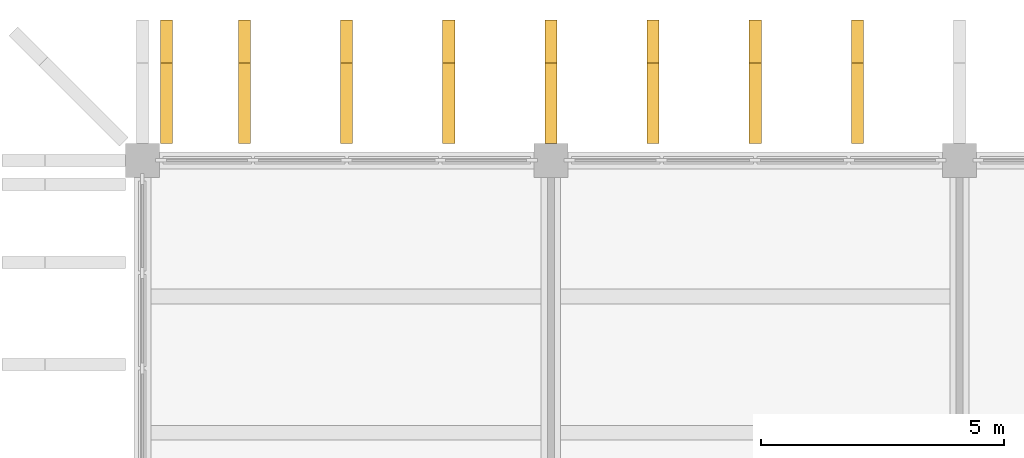
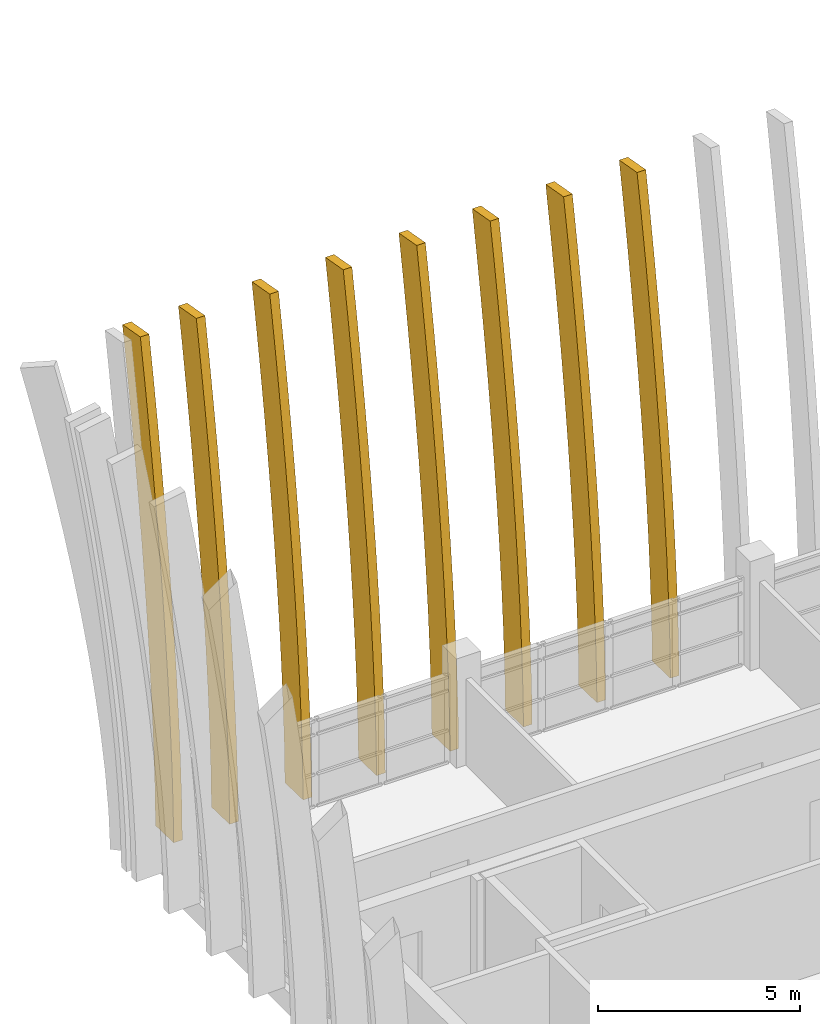
# One storey, part 16 of 19: 8 shading devices.
"""IFC4 building model written with IfcOpenShell, lengths in metres."""

from ifc_helpers import new_model, si_unit, direction, frame, origin, origin_2d, place, context, subcontext, project, spatial, rectangle, faceted_brep, material, material_profile, profile_set, type_object, element, save


model = new_model("IFC4")

# Units and contexts
model_context = context("Model", 3, precision=1e-05, world=origin(), true_north=direction((0.0, 1.0)))
body_context = subcontext(model_context, "Body", "Model", "MODEL_VIEW")
ifc_project = project(units=[si_unit("LENGTHUNIT", "METRE"), si_unit("AREAUNIT", "SQUARE_METRE"), si_unit("VOLUMEUNIT", "CUBIC_METRE"), si_unit("PLANEANGLEUNIT", "RADIAN"), si_unit("MASSUNIT", "GRAM", prefix="KILO")], contexts=[model_context])

# Site, building, storey
site_placement = place(None, origin())
site = spatial("IfcSite", under=ifc_project, at=site_placement, CompositionType="ELEMENT")
building_placement = place(site_placement, origin())
building = spatial("IfcBuilding", under=site, at=building_placement, Name="Rulbaag Community and Learning Centre", CompositionType="ELEMENT")
storey_placement = place(building_placement, frame((0.0, 0.0, 57.60009765625)))
storey = spatial("IfcBuildingStorey", under=building, at=storey_placement, Name="L15", CompositionType="ELEMENT", Elevation=57.60009765625)

# Shading devices
ifc_material = material(Name="Concrete M40", Category="concrete")
ifc_material_profile = material_profile(ifc_material, rectangle(XDim=0.25, YDim=0.89990234375, at=origin_2d()), Name="PC 250x900")
ifc_profile_set = profile_set([ifc_material_profile], Name="Concrete M40")
shading_device_type = type_object("IfcShadingDeviceType", Name="FIN-H", PredefinedType="JALOUSIE", material=ifc_profile_set)
shading_device_1_placement = place(storey_placement, frame((0.0, 0.0, -57.60009765625)))
element("IfcShadingDevice", 1, at=shading_device_1_placement, inside=storey, type_object=shading_device_type, Name="Precast crown fin", PredefinedType="JALOUSIE", context=body_context, shape_type="Brep", body=[
    faceted_brep([(143.175048828125, 118.849853515625, 57.587646484375), (143.425048828125, 118.849853515625, 57.587646484375), (143.425048828125, 117.949951171875, 57.611083984375), (143.175048828125, 117.949951171875, 57.611083984375), (143.175048828125, 119.599609375, 71.89794921875), (143.425048828125, 119.599609375, 71.89794921875), (143.425048828125, 120.4853515625, 71.73876953125), (143.175048828125, 120.4853515625, 71.73876953125), (143.425048828125, 117.98095703125, 58.790771484375), (143.175048828125, 117.98095703125, 58.790771484375), (143.425048828125, 118.88037109375, 58.755126953125), (143.175048828125, 118.88037109375, 58.755126953125), (143.425048828125, 118.043701171875, 59.983154296875), (143.175048828125, 118.043701171875, 59.983154296875), (143.425048828125, 118.942138671875, 59.927001953125), (143.175048828125, 118.942138671875, 59.927001953125), (143.425048828125, 118.129638671875, 61.1748046875), (143.175048828125, 118.129638671875, 61.1748046875), (143.425048828125, 119.026611328125, 61.10302734375), (143.175048828125, 119.026611328125, 61.10302734375), (143.425048828125, 118.234619140625, 62.36669921875), (143.175048828125, 118.234619140625, 62.36669921875), (143.425048828125, 119.130615234375, 62.28125), (143.175048828125, 119.130615234375, 62.28125), (143.425048828125, 118.356689453125, 63.558349609375), (143.175048828125, 118.356689453125, 63.558349609375), (143.425048828125, 119.251220703125, 63.460693359375), (143.175048828125, 119.251220703125, 63.460693359375), (143.425048828125, 118.494140625, 64.75), (143.175048828125, 118.494140625, 64.75), (143.425048828125, 119.3876953125, 64.64111328125), (143.175048828125, 119.3876953125, 64.64111328125), (143.425048828125, 118.646484375, 65.941650390625), (143.175048828125, 118.646484375, 65.941650390625), (143.425048828125, 119.53857421875, 65.822509765625), (143.175048828125, 119.53857421875, 65.822509765625), (143.425048828125, 118.8125, 67.13330078125), (143.175048828125, 118.8125, 67.13330078125), (143.425048828125, 119.703125, 67.00439453125), (143.175048828125, 119.703125, 67.00439453125), (143.425048828125, 118.991455078125, 68.324951171875), (143.175048828125, 118.991455078125, 68.324951171875), (143.425048828125, 119.880615234375, 68.186767578125), (143.175048828125, 119.880615234375, 68.186767578125), (143.425048828125, 119.1826171875, 69.5166015625), (143.175048828125, 119.1826171875, 69.5166015625), (143.425048828125, 120.0703125, 69.36962890625), (143.175048828125, 120.0703125, 69.36962890625), (143.425048828125, 119.385498046875, 70.708251953125), (143.175048828125, 119.385498046875, 70.708251953125), (143.425048828125, 120.272216796875, 70.552978515625), (143.175048828125, 120.272216796875, 70.552978515625)], [[[0, 1, 2, 3]], [[4, 5, 6, 7]], [[3, 2, 8, 9]], [[2, 1, 10, 8]], [[1, 0, 11, 10]], [[0, 3, 9, 11]], [[9, 8, 12, 13]], [[8, 10, 14, 12]], [[10, 11, 15, 14]], [[11, 9, 13, 15]], [[13, 12, 16, 17]], [[12, 14, 18, 16]], [[14, 15, 19, 18]], [[15, 13, 17, 19]], [[17, 16, 20, 21]], [[16, 18, 22, 20]], [[18, 19, 23, 22]], [[19, 17, 21, 23]], [[21, 20, 24, 25]], [[20, 22, 26, 24]], [[22, 23, 27, 26]], [[23, 21, 25, 27]], [[25, 24, 28, 29]], [[24, 26, 30, 28]], [[26, 27, 31, 30]], [[27, 25, 29, 31]], [[29, 28, 32, 33]], [[28, 30, 34, 32]], [[30, 31, 35, 34]], [[31, 29, 33, 35]], [[33, 32, 36, 37]], [[32, 34, 38, 36]], [[34, 35, 39, 38]], [[35, 33, 37, 39]], [[37, 36, 40, 41]], [[36, 38, 42, 40]], [[38, 39, 43, 42]], [[39, 37, 41, 43]], [[41, 40, 44, 45]], [[40, 42, 46, 44]], [[42, 43, 47, 46]], [[43, 41, 45, 47]], [[45, 44, 48, 49]], [[44, 46, 50, 48]], [[46, 47, 51, 50]], [[47, 45, 49, 51]], [[49, 48, 5, 4]], [[48, 50, 6, 5]], [[50, 51, 7, 6]], [[51, 49, 4, 7]]]),
])
shading_device_2_placement = place(storey_placement, frame((0.0, 0.0, -57.60009765625)))
element("IfcShadingDevice", 2, at=shading_device_2_placement, inside=storey, type_object=shading_device_type, Name="Precast crown fin", PredefinedType="JALOUSIE", context=body_context, shape_type="Brep", body=[
    faceted_brep([(144.77490234375, 118.849853515625, 57.587646484375), (145.02490234375, 118.849853515625, 57.587646484375), (145.02490234375, 117.949951171875, 57.611083984375), (144.77490234375, 117.949951171875, 57.611083984375), (144.77490234375, 119.599609375, 71.89794921875), (145.02490234375, 119.599609375, 71.89794921875), (145.02490234375, 120.4853515625, 71.73876953125), (144.77490234375, 120.4853515625, 71.73876953125), (145.02490234375, 117.98095703125, 58.790771484375), (144.77490234375, 117.98095703125, 58.790771484375), (145.02490234375, 118.88037109375, 58.755126953125), (144.77490234375, 118.88037109375, 58.755126953125), (145.02490234375, 118.043701171875, 59.983154296875), (144.77490234375, 118.043701171875, 59.983154296875), (145.02490234375, 118.942138671875, 59.927001953125), (144.77490234375, 118.942138671875, 59.927001953125), (145.02490234375, 118.129638671875, 61.1748046875), (144.77490234375, 118.129638671875, 61.1748046875), (145.02490234375, 119.026611328125, 61.10302734375), (144.77490234375, 119.026611328125, 61.10302734375), (145.02490234375, 118.234619140625, 62.36669921875), (144.77490234375, 118.234619140625, 62.36669921875), (145.02490234375, 119.130615234375, 62.28125), (144.77490234375, 119.130615234375, 62.28125), (145.02490234375, 118.356689453125, 63.558349609375), (144.77490234375, 118.356689453125, 63.558349609375), (145.02490234375, 119.251220703125, 63.460693359375), (144.77490234375, 119.251220703125, 63.460693359375), (145.02490234375, 118.494140625, 64.75), (144.77490234375, 118.494140625, 64.75), (145.02490234375, 119.3876953125, 64.64111328125), (144.77490234375, 119.3876953125, 64.64111328125), (145.02490234375, 118.646484375, 65.941650390625), (144.77490234375, 118.646484375, 65.941650390625), (145.02490234375, 119.53857421875, 65.822509765625), (144.77490234375, 119.53857421875, 65.822509765625), (145.02490234375, 118.8125, 67.13330078125), (144.77490234375, 118.8125, 67.13330078125), (145.02490234375, 119.703125, 67.00439453125), (144.77490234375, 119.703125, 67.00439453125), (145.02490234375, 118.991455078125, 68.324951171875), (144.77490234375, 118.991455078125, 68.324951171875), (145.02490234375, 119.880615234375, 68.186767578125), (144.77490234375, 119.880615234375, 68.186767578125), (145.02490234375, 119.1826171875, 69.5166015625), (144.77490234375, 119.1826171875, 69.5166015625), (145.02490234375, 120.0703125, 69.36962890625), (144.77490234375, 120.0703125, 69.36962890625), (145.02490234375, 119.385498046875, 70.708251953125), (144.77490234375, 119.385498046875, 70.708251953125), (145.02490234375, 120.272216796875, 70.552978515625), (144.77490234375, 120.272216796875, 70.552978515625)], [[[0, 1, 2, 3]], [[4, 5, 6, 7]], [[3, 2, 8, 9]], [[2, 1, 10, 8]], [[1, 0, 11, 10]], [[0, 3, 9, 11]], [[9, 8, 12, 13]], [[8, 10, 14, 12]], [[10, 11, 15, 14]], [[11, 9, 13, 15]], [[13, 12, 16, 17]], [[12, 14, 18, 16]], [[14, 15, 19, 18]], [[15, 13, 17, 19]], [[17, 16, 20, 21]], [[16, 18, 22, 20]], [[18, 19, 23, 22]], [[19, 17, 21, 23]], [[21, 20, 24, 25]], [[20, 22, 26, 24]], [[22, 23, 27, 26]], [[23, 21, 25, 27]], [[25, 24, 28, 29]], [[24, 26, 30, 28]], [[26, 27, 31, 30]], [[27, 25, 29, 31]], [[29, 28, 32, 33]], [[28, 30, 34, 32]], [[30, 31, 35, 34]], [[31, 29, 33, 35]], [[33, 32, 36, 37]], [[32, 34, 38, 36]], [[34, 35, 39, 38]], [[35, 33, 37, 39]], [[37, 36, 40, 41]], [[36, 38, 42, 40]], [[38, 39, 43, 42]], [[39, 37, 41, 43]], [[41, 40, 44, 45]], [[40, 42, 46, 44]], [[42, 43, 47, 46]], [[43, 41, 45, 47]], [[45, 44, 48, 49]], [[44, 46, 50, 48]], [[46, 47, 51, 50]], [[47, 45, 49, 51]], [[49, 48, 5, 4]], [[48, 50, 6, 5]], [[50, 51, 7, 6]], [[51, 49, 4, 7]]]),
])
shading_device_3_placement = place(storey_placement, frame((0.0, 0.0, -57.60009765625)))
element("IfcShadingDevice", 3, at=shading_device_3_placement, inside=storey, type_object=shading_device_type, Name="Precast crown fin", PredefinedType="JALOUSIE", context=body_context, shape_type="Brep", body=[
    faceted_brep([(146.875, 118.849853515625, 57.587646484375), (147.125, 118.849853515625, 57.587646484375), (147.125, 117.949951171875, 57.611083984375), (146.875, 117.949951171875, 57.611083984375), (146.875, 119.599609375, 71.89794921875), (147.125, 119.599609375, 71.89794921875), (147.125, 120.4853515625, 71.73876953125), (146.875, 120.4853515625, 71.73876953125), (147.125, 117.98095703125, 58.790771484375), (146.875, 117.98095703125, 58.790771484375), (147.125, 118.88037109375, 58.755126953125), (146.875, 118.88037109375, 58.755126953125), (147.125, 118.043701171875, 59.983154296875), (146.875, 118.043701171875, 59.983154296875), (147.125, 118.942138671875, 59.927001953125), (146.875, 118.942138671875, 59.927001953125), (147.125, 118.129638671875, 61.1748046875), (146.875, 118.129638671875, 61.1748046875), (147.125, 119.026611328125, 61.10302734375), (146.875, 119.026611328125, 61.10302734375), (147.125, 118.234619140625, 62.36669921875), (146.875, 118.234619140625, 62.36669921875), (147.125, 119.130615234375, 62.28125), (146.875, 119.130615234375, 62.28125), (147.125, 118.356689453125, 63.558349609375), (146.875, 118.356689453125, 63.558349609375), (147.125, 119.251220703125, 63.460693359375), (146.875, 119.251220703125, 63.460693359375), (147.125, 118.494140625, 64.75), (146.875, 118.494140625, 64.75), (147.125, 119.3876953125, 64.64111328125), (146.875, 119.3876953125, 64.64111328125), (147.125, 118.646484375, 65.941650390625), (146.875, 118.646484375, 65.941650390625), (147.125, 119.53857421875, 65.822509765625), (146.875, 119.53857421875, 65.822509765625), (147.125, 118.8125, 67.13330078125), (146.875, 118.8125, 67.13330078125), (147.125, 119.703125, 67.00439453125), (146.875, 119.703125, 67.00439453125), (147.125, 118.991455078125, 68.324951171875), (146.875, 118.991455078125, 68.324951171875), (147.125, 119.880615234375, 68.186767578125), (146.875, 119.880615234375, 68.186767578125), (147.125, 119.1826171875, 69.5166015625), (146.875, 119.1826171875, 69.5166015625), (147.125, 120.0703125, 69.36962890625), (146.875, 120.0703125, 69.36962890625), (147.125, 119.385498046875, 70.708251953125), (146.875, 119.385498046875, 70.708251953125), (147.125, 120.272216796875, 70.552978515625), (146.875, 120.272216796875, 70.552978515625)], [[[0, 1, 2, 3]], [[4, 5, 6, 7]], [[3, 2, 8, 9]], [[2, 1, 10, 8]], [[1, 0, 11, 10]], [[0, 3, 9, 11]], [[9, 8, 12, 13]], [[8, 10, 14, 12]], [[10, 11, 15, 14]], [[11, 9, 13, 15]], [[13, 12, 16, 17]], [[12, 14, 18, 16]], [[14, 15, 19, 18]], [[15, 13, 17, 19]], [[17, 16, 20, 21]], [[16, 18, 22, 20]], [[18, 19, 23, 22]], [[19, 17, 21, 23]], [[21, 20, 24, 25]], [[20, 22, 26, 24]], [[22, 23, 27, 26]], [[23, 21, 25, 27]], [[25, 24, 28, 29]], [[24, 26, 30, 28]], [[26, 27, 31, 30]], [[27, 25, 29, 31]], [[29, 28, 32, 33]], [[28, 30, 34, 32]], [[30, 31, 35, 34]], [[31, 29, 33, 35]], [[33, 32, 36, 37]], [[32, 34, 38, 36]], [[34, 35, 39, 38]], [[35, 33, 37, 39]], [[37, 36, 40, 41]], [[36, 38, 42, 40]], [[38, 39, 43, 42]], [[39, 37, 41, 43]], [[41, 40, 44, 45]], [[40, 42, 46, 44]], [[42, 43, 47, 46]], [[43, 41, 45, 47]], [[45, 44, 48, 49]], [[44, 46, 50, 48]], [[46, 47, 51, 50]], [[47, 45, 49, 51]], [[49, 48, 5, 4]], [[48, 50, 6, 5]], [[50, 51, 7, 6]], [[51, 49, 4, 7]]]),
])
shading_device_4_placement = place(storey_placement, frame((0.0, 0.0, -57.60009765625)))
element("IfcShadingDevice", 4, at=shading_device_4_placement, inside=storey, type_object=shading_device_type, Name="Precast crown fin", PredefinedType="JALOUSIE", context=body_context, shape_type="Brep", body=[
    faceted_brep([(148.97509765625, 118.849853515625, 57.587646484375), (149.22509765625, 118.849853515625, 57.587646484375), (149.22509765625, 117.949951171875, 57.611083984375), (148.97509765625, 117.949951171875, 57.611083984375), (148.97509765625, 119.599609375, 71.89794921875), (149.22509765625, 119.599609375, 71.89794921875), (149.22509765625, 120.4853515625, 71.73876953125), (148.97509765625, 120.4853515625, 71.73876953125), (149.22509765625, 117.98095703125, 58.790771484375), (148.97509765625, 117.98095703125, 58.790771484375), (149.22509765625, 118.88037109375, 58.755126953125), (148.97509765625, 118.88037109375, 58.755126953125), (149.22509765625, 118.043701171875, 59.983154296875), (148.97509765625, 118.043701171875, 59.983154296875), (149.22509765625, 118.942138671875, 59.927001953125), (148.97509765625, 118.942138671875, 59.927001953125), (149.22509765625, 118.129638671875, 61.1748046875), (148.97509765625, 118.129638671875, 61.1748046875), (149.22509765625, 119.026611328125, 61.10302734375), (148.97509765625, 119.026611328125, 61.10302734375), (149.22509765625, 118.234619140625, 62.36669921875), (148.97509765625, 118.234619140625, 62.36669921875), (149.22509765625, 119.130615234375, 62.28125), (148.97509765625, 119.130615234375, 62.28125), (149.22509765625, 118.356689453125, 63.558349609375), (148.97509765625, 118.356689453125, 63.558349609375), (149.22509765625, 119.251220703125, 63.460693359375), (148.97509765625, 119.251220703125, 63.460693359375), (149.22509765625, 118.494140625, 64.75), (148.97509765625, 118.494140625, 64.75), (149.22509765625, 119.3876953125, 64.64111328125), (148.97509765625, 119.3876953125, 64.64111328125), (149.22509765625, 118.646484375, 65.941650390625), (148.97509765625, 118.646484375, 65.941650390625), (149.22509765625, 119.53857421875, 65.822509765625), (148.97509765625, 119.53857421875, 65.822509765625), (149.22509765625, 118.8125, 67.13330078125), (148.97509765625, 118.8125, 67.13330078125), (149.22509765625, 119.703125, 67.00439453125), (148.97509765625, 119.703125, 67.00439453125), (149.22509765625, 118.991455078125, 68.324951171875), (148.97509765625, 118.991455078125, 68.324951171875), (149.22509765625, 119.880615234375, 68.186767578125), (148.97509765625, 119.880615234375, 68.186767578125), (149.22509765625, 119.1826171875, 69.5166015625), (148.97509765625, 119.1826171875, 69.5166015625), (149.22509765625, 120.0703125, 69.36962890625), (148.97509765625, 120.0703125, 69.36962890625), (149.22509765625, 119.385498046875, 70.708251953125), (148.97509765625, 119.385498046875, 70.708251953125), (149.22509765625, 120.272216796875, 70.552978515625), (148.97509765625, 120.272216796875, 70.552978515625)], [[[0, 1, 2, 3]], [[4, 5, 6, 7]], [[3, 2, 8, 9]], [[2, 1, 10, 8]], [[1, 0, 11, 10]], [[0, 3, 9, 11]], [[9, 8, 12, 13]], [[8, 10, 14, 12]], [[10, 11, 15, 14]], [[11, 9, 13, 15]], [[13, 12, 16, 17]], [[12, 14, 18, 16]], [[14, 15, 19, 18]], [[15, 13, 17, 19]], [[17, 16, 20, 21]], [[16, 18, 22, 20]], [[18, 19, 23, 22]], [[19, 17, 21, 23]], [[21, 20, 24, 25]], [[20, 22, 26, 24]], [[22, 23, 27, 26]], [[23, 21, 25, 27]], [[25, 24, 28, 29]], [[24, 26, 30, 28]], [[26, 27, 31, 30]], [[27, 25, 29, 31]], [[29, 28, 32, 33]], [[28, 30, 34, 32]], [[30, 31, 35, 34]], [[31, 29, 33, 35]], [[33, 32, 36, 37]], [[32, 34, 38, 36]], [[34, 35, 39, 38]], [[35, 33, 37, 39]], [[37, 36, 40, 41]], [[36, 38, 42, 40]], [[38, 39, 43, 42]], [[39, 37, 41, 43]], [[41, 40, 44, 45]], [[40, 42, 46, 44]], [[42, 43, 47, 46]], [[43, 41, 45, 47]], [[45, 44, 48, 49]], [[44, 46, 50, 48]], [[46, 47, 51, 50]], [[47, 45, 49, 51]], [[49, 48, 5, 4]], [[48, 50, 6, 5]], [[50, 51, 7, 6]], [[51, 49, 4, 7]]]),
])
shading_device_5_placement = place(storey_placement, frame((0.0, 0.0, -57.60009765625)))
element("IfcShadingDevice", 5, at=shading_device_5_placement, inside=storey, type_object=shading_device_type, Name="Precast crown fin", PredefinedType="JALOUSIE", context=body_context, shape_type="Brep", body=[
    faceted_brep([(151.074951171875, 118.849853515625, 57.587646484375), (151.324951171875, 118.849853515625, 57.587646484375), (151.324951171875, 117.949951171875, 57.611083984375), (151.074951171875, 117.949951171875, 57.611083984375), (151.074951171875, 119.599609375, 71.89794921875), (151.324951171875, 119.599609375, 71.89794921875), (151.324951171875, 120.4853515625, 71.73876953125), (151.074951171875, 120.4853515625, 71.73876953125), (151.324951171875, 117.98095703125, 58.790771484375), (151.074951171875, 117.98095703125, 58.790771484375), (151.324951171875, 118.88037109375, 58.755126953125), (151.074951171875, 118.88037109375, 58.755126953125), (151.324951171875, 118.043701171875, 59.983154296875), (151.074951171875, 118.043701171875, 59.983154296875), (151.324951171875, 118.942138671875, 59.927001953125), (151.074951171875, 118.942138671875, 59.927001953125), (151.324951171875, 118.129638671875, 61.1748046875), (151.074951171875, 118.129638671875, 61.1748046875), (151.324951171875, 119.026611328125, 61.10302734375), (151.074951171875, 119.026611328125, 61.10302734375), (151.324951171875, 118.234619140625, 62.36669921875), (151.074951171875, 118.234619140625, 62.36669921875), (151.324951171875, 119.130615234375, 62.28125), (151.074951171875, 119.130615234375, 62.28125), (151.324951171875, 118.356689453125, 63.558349609375), (151.074951171875, 118.356689453125, 63.558349609375), (151.324951171875, 119.251220703125, 63.460693359375), (151.074951171875, 119.251220703125, 63.460693359375), (151.324951171875, 118.494140625, 64.75), (151.074951171875, 118.494140625, 64.75), (151.324951171875, 119.3876953125, 64.64111328125), (151.074951171875, 119.3876953125, 64.64111328125), (151.324951171875, 118.646484375, 65.941650390625), (151.074951171875, 118.646484375, 65.941650390625), (151.324951171875, 119.53857421875, 65.822509765625), (151.074951171875, 119.53857421875, 65.822509765625), (151.324951171875, 118.8125, 67.13330078125), (151.074951171875, 118.8125, 67.13330078125), (151.324951171875, 119.703125, 67.00439453125), (151.074951171875, 119.703125, 67.00439453125), (151.324951171875, 118.991455078125, 68.324951171875), (151.074951171875, 118.991455078125, 68.324951171875), (151.324951171875, 119.880615234375, 68.186767578125), (151.074951171875, 119.880615234375, 68.186767578125), (151.324951171875, 119.1826171875, 69.5166015625), (151.074951171875, 119.1826171875, 69.5166015625), (151.324951171875, 120.0703125, 69.36962890625), (151.074951171875, 120.0703125, 69.36962890625), (151.324951171875, 119.385498046875, 70.708251953125), (151.074951171875, 119.385498046875, 70.708251953125), (151.324951171875, 120.272216796875, 70.552978515625), (151.074951171875, 120.272216796875, 70.552978515625)], [[[0, 1, 2, 3]], [[4, 5, 6, 7]], [[3, 2, 8, 9]], [[2, 1, 10, 8]], [[1, 0, 11, 10]], [[0, 3, 9, 11]], [[9, 8, 12, 13]], [[8, 10, 14, 12]], [[10, 11, 15, 14]], [[11, 9, 13, 15]], [[13, 12, 16, 17]], [[12, 14, 18, 16]], [[14, 15, 19, 18]], [[15, 13, 17, 19]], [[17, 16, 20, 21]], [[16, 18, 22, 20]], [[18, 19, 23, 22]], [[19, 17, 21, 23]], [[21, 20, 24, 25]], [[20, 22, 26, 24]], [[22, 23, 27, 26]], [[23, 21, 25, 27]], [[25, 24, 28, 29]], [[24, 26, 30, 28]], [[26, 27, 31, 30]], [[27, 25, 29, 31]], [[29, 28, 32, 33]], [[28, 30, 34, 32]], [[30, 31, 35, 34]], [[31, 29, 33, 35]], [[33, 32, 36, 37]], [[32, 34, 38, 36]], [[34, 35, 39, 38]], [[35, 33, 37, 39]], [[37, 36, 40, 41]], [[36, 38, 42, 40]], [[38, 39, 43, 42]], [[39, 37, 41, 43]], [[41, 40, 44, 45]], [[40, 42, 46, 44]], [[42, 43, 47, 46]], [[43, 41, 45, 47]], [[45, 44, 48, 49]], [[44, 46, 50, 48]], [[46, 47, 51, 50]], [[47, 45, 49, 51]], [[49, 48, 5, 4]], [[48, 50, 6, 5]], [[50, 51, 7, 6]], [[51, 49, 4, 7]]]),
])
shading_device_6_placement = place(storey_placement, frame((0.0, 0.0, -57.60009765625)))
element("IfcShadingDevice", 6, at=shading_device_6_placement, inside=storey, type_object=shading_device_type, Name="Precast crown fin", PredefinedType="JALOUSIE", context=body_context, shape_type="Brep", body=[
    faceted_brep([(153.175048828125, 118.849853515625, 57.587646484375), (153.425048828125, 118.849853515625, 57.587646484375), (153.425048828125, 117.949951171875, 57.611083984375), (153.175048828125, 117.949951171875, 57.611083984375), (153.175048828125, 119.599609375, 71.89794921875), (153.425048828125, 119.599609375, 71.89794921875), (153.425048828125, 120.4853515625, 71.73876953125), (153.175048828125, 120.4853515625, 71.73876953125), (153.425048828125, 117.98095703125, 58.790771484375), (153.175048828125, 117.98095703125, 58.790771484375), (153.425048828125, 118.88037109375, 58.755126953125), (153.175048828125, 118.88037109375, 58.755126953125), (153.425048828125, 118.043701171875, 59.983154296875), (153.175048828125, 118.043701171875, 59.983154296875), (153.425048828125, 118.942138671875, 59.927001953125), (153.175048828125, 118.942138671875, 59.927001953125), (153.425048828125, 118.129638671875, 61.1748046875), (153.175048828125, 118.129638671875, 61.1748046875), (153.425048828125, 119.026611328125, 61.10302734375), (153.175048828125, 119.026611328125, 61.10302734375), (153.425048828125, 118.234619140625, 62.36669921875), (153.175048828125, 118.234619140625, 62.36669921875), (153.425048828125, 119.130615234375, 62.28125), (153.175048828125, 119.130615234375, 62.28125), (153.425048828125, 118.356689453125, 63.558349609375), (153.175048828125, 118.356689453125, 63.558349609375), (153.425048828125, 119.251220703125, 63.460693359375), (153.175048828125, 119.251220703125, 63.460693359375), (153.425048828125, 118.494140625, 64.75), (153.175048828125, 118.494140625, 64.75), (153.425048828125, 119.3876953125, 64.64111328125), (153.175048828125, 119.3876953125, 64.64111328125), (153.425048828125, 118.646484375, 65.941650390625), (153.175048828125, 118.646484375, 65.941650390625), (153.425048828125, 119.53857421875, 65.822509765625), (153.175048828125, 119.53857421875, 65.822509765625), (153.425048828125, 118.8125, 67.13330078125), (153.175048828125, 118.8125, 67.13330078125), (153.425048828125, 119.703125, 67.00439453125), (153.175048828125, 119.703125, 67.00439453125), (153.425048828125, 118.991455078125, 68.324951171875), (153.175048828125, 118.991455078125, 68.324951171875), (153.425048828125, 119.880615234375, 68.186767578125), (153.175048828125, 119.880615234375, 68.186767578125), (153.425048828125, 119.1826171875, 69.5166015625), (153.175048828125, 119.1826171875, 69.5166015625), (153.425048828125, 120.0703125, 69.36962890625), (153.175048828125, 120.0703125, 69.36962890625), (153.425048828125, 119.385498046875, 70.708251953125), (153.175048828125, 119.385498046875, 70.708251953125), (153.425048828125, 120.272216796875, 70.552978515625), (153.175048828125, 120.272216796875, 70.552978515625)], [[[0, 1, 2, 3]], [[4, 5, 6, 7]], [[3, 2, 8, 9]], [[2, 1, 10, 8]], [[1, 0, 11, 10]], [[0, 3, 9, 11]], [[9, 8, 12, 13]], [[8, 10, 14, 12]], [[10, 11, 15, 14]], [[11, 9, 13, 15]], [[13, 12, 16, 17]], [[12, 14, 18, 16]], [[14, 15, 19, 18]], [[15, 13, 17, 19]], [[17, 16, 20, 21]], [[16, 18, 22, 20]], [[18, 19, 23, 22]], [[19, 17, 21, 23]], [[21, 20, 24, 25]], [[20, 22, 26, 24]], [[22, 23, 27, 26]], [[23, 21, 25, 27]], [[25, 24, 28, 29]], [[24, 26, 30, 28]], [[26, 27, 31, 30]], [[27, 25, 29, 31]], [[29, 28, 32, 33]], [[28, 30, 34, 32]], [[30, 31, 35, 34]], [[31, 29, 33, 35]], [[33, 32, 36, 37]], [[32, 34, 38, 36]], [[34, 35, 39, 38]], [[35, 33, 37, 39]], [[37, 36, 40, 41]], [[36, 38, 42, 40]], [[38, 39, 43, 42]], [[39, 37, 41, 43]], [[41, 40, 44, 45]], [[40, 42, 46, 44]], [[42, 43, 47, 46]], [[43, 41, 45, 47]], [[45, 44, 48, 49]], [[44, 46, 50, 48]], [[46, 47, 51, 50]], [[47, 45, 49, 51]], [[49, 48, 5, 4]], [[48, 50, 6, 5]], [[50, 51, 7, 6]], [[51, 49, 4, 7]]]),
])
shading_device_7_placement = place(storey_placement, frame((0.0, 0.0, -57.60009765625)))
element("IfcShadingDevice", 7, at=shading_device_7_placement, inside=storey, type_object=shading_device_type, Name="Precast crown fin", PredefinedType="JALOUSIE", context=body_context, shape_type="Brep", body=[
    faceted_brep([(155.27490234375, 118.849853515625, 57.587646484375), (155.52490234375, 118.849853515625, 57.587646484375), (155.52490234375, 117.949951171875, 57.611083984375), (155.27490234375, 117.949951171875, 57.611083984375), (155.27490234375, 119.599609375, 71.89794921875), (155.52490234375, 119.599609375, 71.89794921875), (155.52490234375, 120.4853515625, 71.73876953125), (155.27490234375, 120.4853515625, 71.73876953125), (155.52490234375, 117.98095703125, 58.790771484375), (155.27490234375, 117.98095703125, 58.790771484375), (155.52490234375, 118.88037109375, 58.755126953125), (155.27490234375, 118.88037109375, 58.755126953125), (155.52490234375, 118.043701171875, 59.983154296875), (155.27490234375, 118.043701171875, 59.983154296875), (155.52490234375, 118.942138671875, 59.927001953125), (155.27490234375, 118.942138671875, 59.927001953125), (155.52490234375, 118.129638671875, 61.1748046875), (155.27490234375, 118.129638671875, 61.1748046875), (155.52490234375, 119.026611328125, 61.10302734375), (155.27490234375, 119.026611328125, 61.10302734375), (155.52490234375, 118.234619140625, 62.36669921875), (155.27490234375, 118.234619140625, 62.36669921875), (155.52490234375, 119.130615234375, 62.28125), (155.27490234375, 119.130615234375, 62.28125), (155.52490234375, 118.356689453125, 63.558349609375), (155.27490234375, 118.356689453125, 63.558349609375), (155.52490234375, 119.251220703125, 63.460693359375), (155.27490234375, 119.251220703125, 63.460693359375), (155.52490234375, 118.494140625, 64.75), (155.27490234375, 118.494140625, 64.75), (155.52490234375, 119.3876953125, 64.64111328125), (155.27490234375, 119.3876953125, 64.64111328125), (155.52490234375, 118.646484375, 65.941650390625), (155.27490234375, 118.646484375, 65.941650390625), (155.52490234375, 119.53857421875, 65.822509765625), (155.27490234375, 119.53857421875, 65.822509765625), (155.52490234375, 118.8125, 67.13330078125), (155.27490234375, 118.8125, 67.13330078125), (155.52490234375, 119.703125, 67.00439453125), (155.27490234375, 119.703125, 67.00439453125), (155.52490234375, 118.991455078125, 68.324951171875), (155.27490234375, 118.991455078125, 68.324951171875), (155.52490234375, 119.880615234375, 68.186767578125), (155.27490234375, 119.880615234375, 68.186767578125), (155.52490234375, 119.1826171875, 69.5166015625), (155.27490234375, 119.1826171875, 69.5166015625), (155.52490234375, 120.0703125, 69.36962890625), (155.27490234375, 120.0703125, 69.36962890625), (155.52490234375, 119.385498046875, 70.708251953125), (155.27490234375, 119.385498046875, 70.708251953125), (155.52490234375, 120.272216796875, 70.552978515625), (155.27490234375, 120.272216796875, 70.552978515625)], [[[0, 1, 2, 3]], [[4, 5, 6, 7]], [[3, 2, 8, 9]], [[2, 1, 10, 8]], [[1, 0, 11, 10]], [[0, 3, 9, 11]], [[9, 8, 12, 13]], [[8, 10, 14, 12]], [[10, 11, 15, 14]], [[11, 9, 13, 15]], [[13, 12, 16, 17]], [[12, 14, 18, 16]], [[14, 15, 19, 18]], [[15, 13, 17, 19]], [[17, 16, 20, 21]], [[16, 18, 22, 20]], [[18, 19, 23, 22]], [[19, 17, 21, 23]], [[21, 20, 24, 25]], [[20, 22, 26, 24]], [[22, 23, 27, 26]], [[23, 21, 25, 27]], [[25, 24, 28, 29]], [[24, 26, 30, 28]], [[26, 27, 31, 30]], [[27, 25, 29, 31]], [[29, 28, 32, 33]], [[28, 30, 34, 32]], [[30, 31, 35, 34]], [[31, 29, 33, 35]], [[33, 32, 36, 37]], [[32, 34, 38, 36]], [[34, 35, 39, 38]], [[35, 33, 37, 39]], [[37, 36, 40, 41]], [[36, 38, 42, 40]], [[38, 39, 43, 42]], [[39, 37, 41, 43]], [[41, 40, 44, 45]], [[40, 42, 46, 44]], [[42, 43, 47, 46]], [[43, 41, 45, 47]], [[45, 44, 48, 49]], [[44, 46, 50, 48]], [[46, 47, 51, 50]], [[47, 45, 49, 51]], [[49, 48, 5, 4]], [[48, 50, 6, 5]], [[50, 51, 7, 6]], [[51, 49, 4, 7]]]),
])
shading_device_8_placement = place(storey_placement, frame((0.0, 0.0, -57.60009765625)))
element("IfcShadingDevice", 8, at=shading_device_8_placement, inside=storey, type_object=shading_device_type, Name="Precast crown fin", PredefinedType="JALOUSIE", context=body_context, shape_type="Brep", body=[
    faceted_brep([(157.375, 118.849853515625, 57.587646484375), (157.625, 118.849853515625, 57.587646484375), (157.625, 117.949951171875, 57.611083984375), (157.375, 117.949951171875, 57.611083984375), (157.375, 119.599609375, 71.89794921875), (157.625, 119.599609375, 71.89794921875), (157.625, 120.4853515625, 71.73876953125), (157.375, 120.4853515625, 71.73876953125), (157.625, 117.98095703125, 58.790771484375), (157.375, 117.98095703125, 58.790771484375), (157.625, 118.88037109375, 58.755126953125), (157.375, 118.88037109375, 58.755126953125), (157.625, 118.043701171875, 59.983154296875), (157.375, 118.043701171875, 59.983154296875), (157.625, 118.942138671875, 59.927001953125), (157.375, 118.942138671875, 59.927001953125), (157.625, 118.129638671875, 61.1748046875), (157.375, 118.129638671875, 61.1748046875), (157.625, 119.026611328125, 61.10302734375), (157.375, 119.026611328125, 61.10302734375), (157.625, 118.234619140625, 62.36669921875), (157.375, 118.234619140625, 62.36669921875), (157.625, 119.130615234375, 62.28125), (157.375, 119.130615234375, 62.28125), (157.625, 118.356689453125, 63.558349609375), (157.375, 118.356689453125, 63.558349609375), (157.625, 119.251220703125, 63.460693359375), (157.375, 119.251220703125, 63.460693359375), (157.625, 118.494140625, 64.75), (157.375, 118.494140625, 64.75), (157.625, 119.3876953125, 64.64111328125), (157.375, 119.3876953125, 64.64111328125), (157.625, 118.646484375, 65.941650390625), (157.375, 118.646484375, 65.941650390625), (157.625, 119.53857421875, 65.822509765625), (157.375, 119.53857421875, 65.822509765625), (157.625, 118.8125, 67.13330078125), (157.375, 118.8125, 67.13330078125), (157.625, 119.703125, 67.00439453125), (157.375, 119.703125, 67.00439453125), (157.625, 118.991455078125, 68.324951171875), (157.375, 118.991455078125, 68.324951171875), (157.625, 119.880615234375, 68.186767578125), (157.375, 119.880615234375, 68.186767578125), (157.625, 119.1826171875, 69.5166015625), (157.375, 119.1826171875, 69.5166015625), (157.625, 120.0703125, 69.36962890625), (157.375, 120.0703125, 69.36962890625), (157.625, 119.385498046875, 70.708251953125), (157.375, 119.385498046875, 70.708251953125), (157.625, 120.272216796875, 70.552978515625), (157.375, 120.272216796875, 70.552978515625)], [[[0, 1, 2, 3]], [[4, 5, 6, 7]], [[3, 2, 8, 9]], [[2, 1, 10, 8]], [[1, 0, 11, 10]], [[0, 3, 9, 11]], [[9, 8, 12, 13]], [[8, 10, 14, 12]], [[10, 11, 15, 14]], [[11, 9, 13, 15]], [[13, 12, 16, 17]], [[12, 14, 18, 16]], [[14, 15, 19, 18]], [[15, 13, 17, 19]], [[17, 16, 20, 21]], [[16, 18, 22, 20]], [[18, 19, 23, 22]], [[19, 17, 21, 23]], [[21, 20, 24, 25]], [[20, 22, 26, 24]], [[22, 23, 27, 26]], [[23, 21, 25, 27]], [[25, 24, 28, 29]], [[24, 26, 30, 28]], [[26, 27, 31, 30]], [[27, 25, 29, 31]], [[29, 28, 32, 33]], [[28, 30, 34, 32]], [[30, 31, 35, 34]], [[31, 29, 33, 35]], [[33, 32, 36, 37]], [[32, 34, 38, 36]], [[34, 35, 39, 38]], [[35, 33, 37, 39]], [[37, 36, 40, 41]], [[36, 38, 42, 40]], [[38, 39, 43, 42]], [[39, 37, 41, 43]], [[41, 40, 44, 45]], [[40, 42, 46, 44]], [[42, 43, 47, 46]], [[43, 41, 45, 47]], [[45, 44, 48, 49]], [[44, 46, 50, 48]], [[46, 47, 51, 50]], [[47, 45, 49, 51]], [[49, 48, 5, 4]], [[48, 50, 6, 5]], [[50, 51, 7, 6]], [[51, 49, 4, 7]]]),
])

save(model, "model.ifc")
